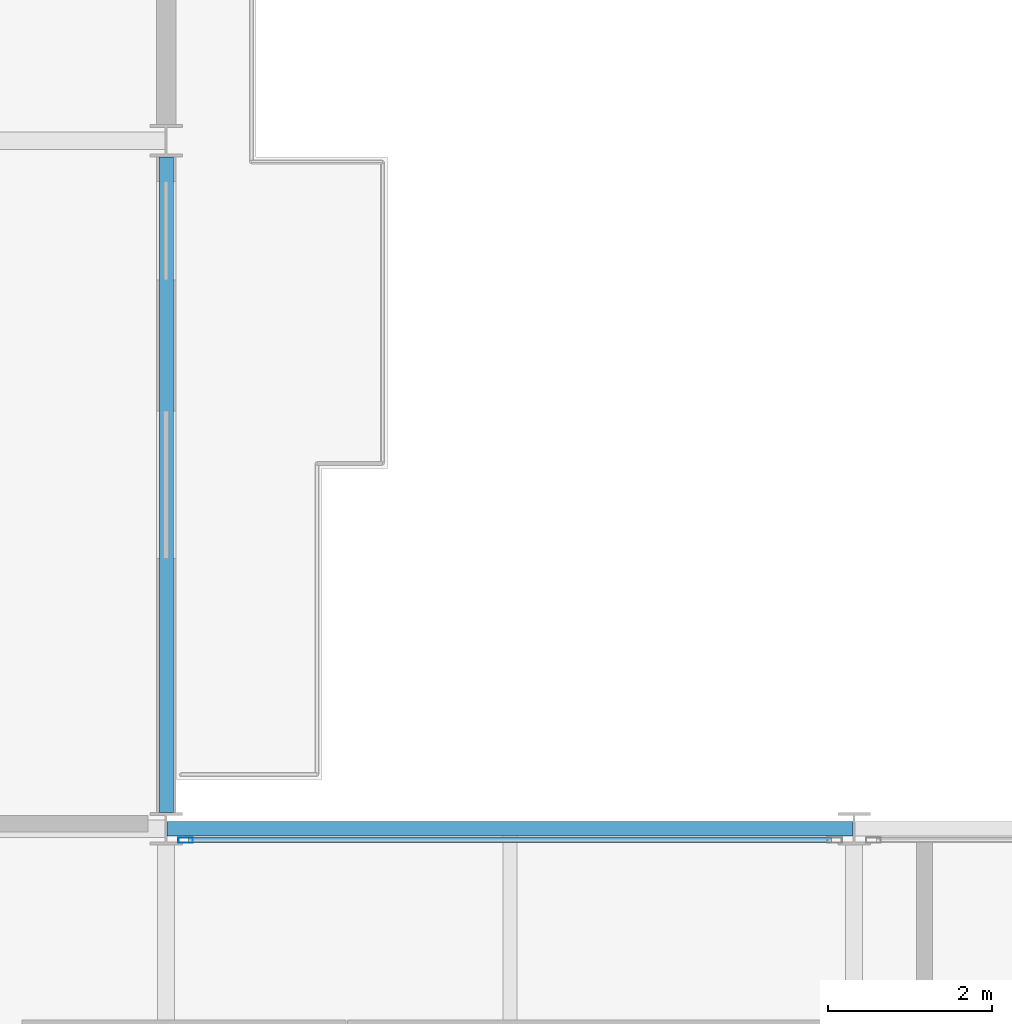
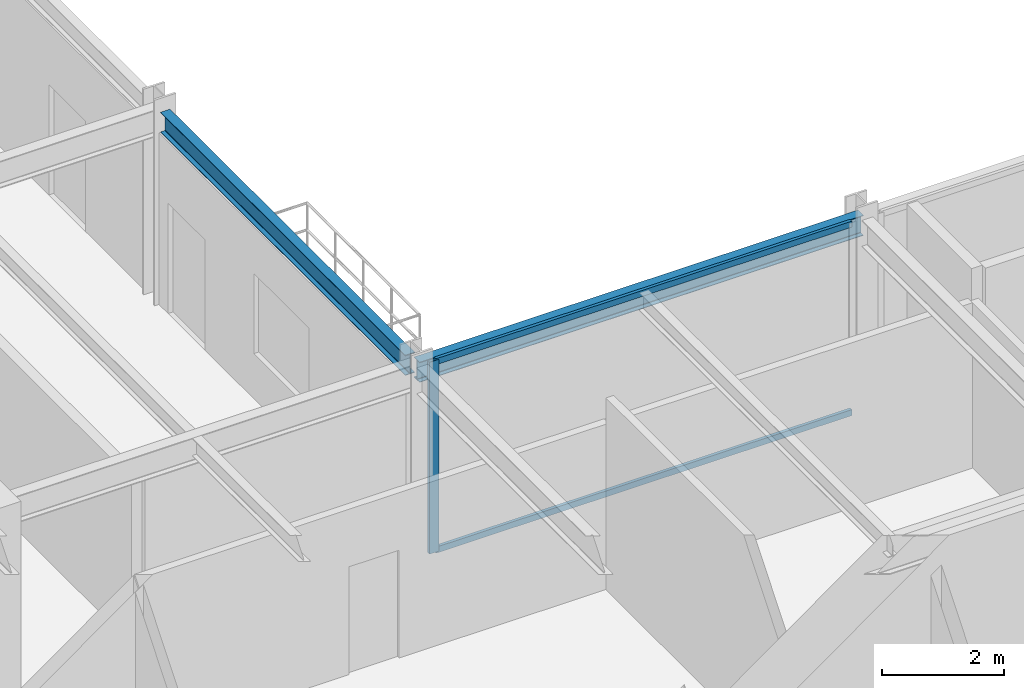
# One storey, part 12 of 29: 3 members, 2 beams, 1 element without a shape of its own.
"""IFC4 building model written with IfcOpenShell, lengths in metres."""

from ifc_helpers import new_model, si_unit, direction, frame, origin, origin_2d, place, context, subcontext, project, spatial, hollow_rectangle, i_section, extrude, material, layer, layer_set, material_profile, profile_set, type_object, element, aggregate, save


model = new_model("IFC4")

# Units and contexts
model_context = context("Model", 3, precision=1e-05, world=origin(), true_north=direction((0.0, 1.0)))
body_context = subcontext(model_context, "Body", "Model", "MODEL_VIEW")
ifc_project = project(units=[si_unit("LENGTHUNIT", "METRE"), si_unit("AREAUNIT", "SQUARE_METRE"), si_unit("VOLUMEUNIT", "CUBIC_METRE"), si_unit("PLANEANGLEUNIT", "RADIAN"), si_unit("MASSUNIT", "GRAM", prefix="KILO")], contexts=[model_context])

# Site, building, storey
site_placement = place(None, origin())
site = spatial("IfcSite", under=ifc_project, at=site_placement, CompositionType="ELEMENT")
building_placement = place(site_placement, origin())
building = spatial("IfcBuilding", under=site, at=building_placement, Name="Nerrivon Quay Data Exchange", CompositionType="ELEMENT")
storey_placement = place(building_placement, frame((0.0, 0.0, 150.0)))
storey = spatial("IfcBuildingStorey", under=building, at=storey_placement, Name="L35", CompositionType="ELEMENT", Elevation=150.0)

# Beams
ifc_material_1 = material(Name="Steel Grade 350", Category="steel")
ifc_material_profile_1 = material_profile(ifc_material_1, i_section(OverallWidth=0.177978515625, OverallDepth=0.403076171875, WebThickness=0.007568359375, FlangeThickness=0.010986328125, FilletRadius=0.011474609375, at=origin_2d()), Name="410UB53.7")
ifc_profile_set_1 = profile_set([ifc_material_profile_1], Name="Steel Grade 350")
beam_type = type_object("IfcBeamType", Name="BM-SP2-410UB54", PredefinedType="SPANDREL", material=ifc_profile_set_1)
beam_1_placement = place(storey_placement, frame((25.21240234375, 25.199951171875, 3.62353515625), z_axis=(1.0, 0.0, 0.0), x_axis=(0.0, 1.0, 0.0)))
element("IfcBeam", 1, at=beam_1_placement, inside=storey, type_object=beam_type, Name="L35 EW Girder Y=25.2 (25.2..33.6)", PredefinedType="SPANDREL", context=body_context, shape_type="SweptSolid", body=[
    extrude(i_section(OverallWidth=0.177978515625, OverallDepth=0.403076171875, WebThickness=0.007568359375, FlangeThickness=0.010986328125, FilletRadius=0.011474609375, at=origin_2d()), origin(), (0.0, 0.0, 1.0), 8.375),
])
beam_2_placement = place(storey_placement, frame((25.199951171875, 25.39990234375, 3.62353515625), z_axis=(0.0, 1.0, 0.0), x_axis=(-1.0, 0.0, 0.0)))
element("IfcBeam", 2, at=beam_2_placement, inside=storey, type_object=beam_type, Name="L35 NS Girder X=25.2 (25.2..33.6)", PredefinedType="SPANDREL", context=body_context, shape_type="SweptSolid", body=[
    extrude(i_section(OverallWidth=0.177978515625, OverallDepth=0.403076171875, WebThickness=0.007568359375, FlangeThickness=0.010986328125, FilletRadius=0.011474609375, at=origin_2d()), origin(), (0.0, 0.0, 1.0), 8.0),
])

# Curtain wall, members
ifc_material_2 = material(Name="Anodised aluminium 6063-T6", Category="aluminium")
ifc_layer = layer(ifc_material_2, 0.2099609375)
ifc_layer_set = layer_set([ifc_layer], Name="Anodised aluminium 6063-T6")
curtain_wall_type = type_object("IfcCurtainWallType", Name="CW-SYS-02", PredefinedType="NOTDEFINED", material=ifc_layer_set)
curtain_wall_placement = place(storey_placement, origin())
curtain_wall = element("IfcCurtainWall", 3, at=curtain_wall_placement, inside=storey, type_object=curtain_wall_type, Name="L35 Unitised Curtain Wall 26", PredefinedType="NOTDEFINED")
ifc_material_profile_2 = material_profile(ifc_material_2, hollow_rectangle(XDim=0.06494140625, YDim=0.179931640625, WallThickness=0.00341796875, at=origin_2d()), Name="ALU-MULL-180x65")
ifc_profile_set_2 = profile_set([ifc_material_profile_2], Name="Anodised aluminium 6063-T6")
member_type_1 = type_object("IfcMemberType", Name="CWM-180x65", PredefinedType="MULLION", material=ifc_profile_set_2)
member_1_placement = place(storey_placement, frame((25.4375, 25.06005859375, 0.0), z_axis=(0.0, 0.0, 1.0), x_axis=(0.0, 1.0, 0.0)))
member_1 = element("IfcMember", 4, at=member_1_placement, type_object=member_type_1, Name="CW02 mullion 1", PredefinedType="MULLION", context=body_context, shape_type="SweptSolid", body=[
    extrude(hollow_rectangle(XDim=0.06494140625, YDim=0.179931640625, WallThickness=0.00341796875, at=origin_2d()), origin(), (0.0, 0.0, 1.0), 3.824951171875),
])
ifc_material_profile_3 = material_profile(ifc_material_2, hollow_rectangle(XDim=0.06005859375, YDim=0.1201171875, WallThickness=0.003173828125, at=origin_2d()), Name="ALU-TRAN-120x60")
ifc_profile_set_3 = profile_set([ifc_material_profile_3], Name="Anodised aluminium 6063-T6")
member_type_2 = type_object("IfcMemberType", Name="CWT-120x60", PredefinedType="USERDEFINED", material=ifc_profile_set_3)
member_2_placement = place(storey_placement, frame((25.47509765625, 25.06005859375, 0.032470703125), z_axis=(1.0, 0.0, 0.0), x_axis=(0.0, 1.0, 0.0)))
member_2 = element("IfcMember", 5, at=member_2_placement, type_object=member_type_2, Name="CW02 transom 1.1", ObjectType="TRANSOM", PredefinedType="USERDEFINED", context=body_context, shape_type="SweptSolid", body=[
    extrude(hollow_rectangle(XDim=0.06005859375, YDim=0.1201171875, WallThickness=0.003173828125, at=origin_2d()), origin(), (0.0, 0.0, 1.0), 7.849853515625),
])
member_3_placement = place(storey_placement, frame((25.47509765625, 25.06005859375, 3.79248046875), z_axis=(1.0, 0.0, 0.0), x_axis=(0.0, 1.0, 0.0)))
member_3 = element("IfcMember", 6, at=member_3_placement, type_object=member_type_2, Name="CW02 transom 1.2", ObjectType="TRANSOM", PredefinedType="USERDEFINED", context=body_context, shape_type="SweptSolid", body=[
    extrude(hollow_rectangle(XDim=0.06005859375, YDim=0.1201171875, WallThickness=0.003173828125, at=origin_2d()), origin(), (0.0, 0.0, 1.0), 7.849853515625),
])
aggregate(curtain_wall, [member_1, member_2, member_3])

save(model, "model.ifc")
